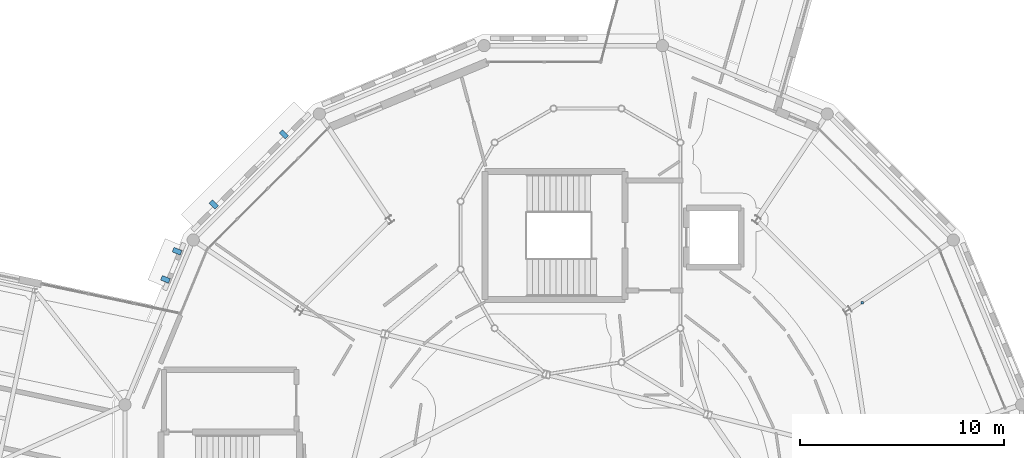
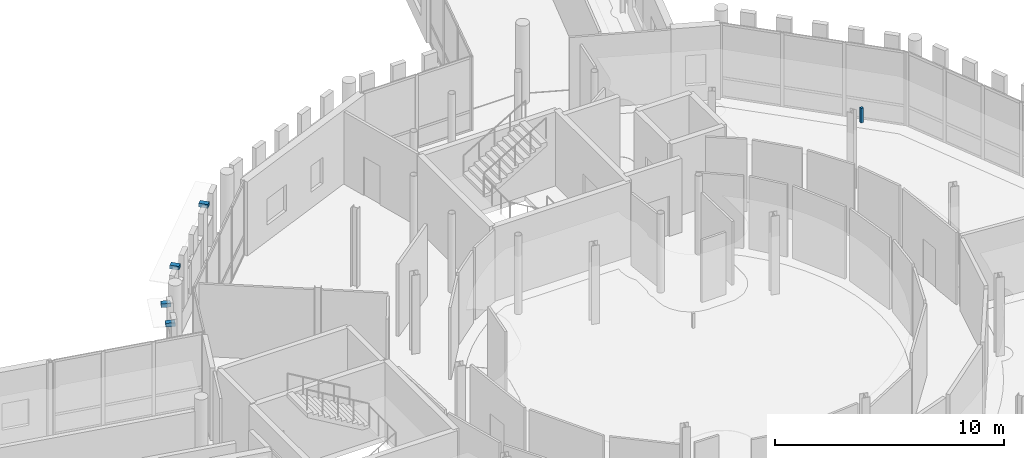
# One storey, part 114 of 125: 5 discrete accessories.
"""IFC4 building model written with IfcOpenShell, lengths in metres."""

from ifc_helpers import new_model, si_unit, direction, frame, origin, origin_2d, place, context, subcontext, project, spatial, rectangle, extrude, material, type_object, element, save


model = new_model("IFC4")

# Units and contexts
model_context = context("Model", 3, precision=1e-05, world=origin(), true_north=direction((0.0, 1.0)))
body_context = subcontext(model_context, "Body", "Model", "MODEL_VIEW")
ifc_project = project(units=[si_unit("LENGTHUNIT", "METRE"), si_unit("AREAUNIT", "SQUARE_METRE"), si_unit("VOLUMEUNIT", "CUBIC_METRE"), si_unit("PLANEANGLEUNIT", "RADIAN"), si_unit("MASSUNIT", "GRAM", prefix="KILO")], contexts=[model_context])

# Site, building, storey
site_placement = place(None, origin())
site = spatial("IfcSite", under=ifc_project, at=site_placement, CompositionType="ELEMENT")
building_placement = place(site_placement, origin())
building = spatial("IfcBuilding", under=site, at=building_placement, Name="Wrenclough Park School", CompositionType="ELEMENT")
storey_placement = place(building_placement, frame((0.0, 0.0, 4.199951171875)))
storey = spatial("IfcBuildingStorey", under=building, at=storey_placement, Name="L01", CompositionType="ELEMENT", Elevation=4.199951171875)

# Discrete accessories
ifc_material_1 = material(Name="Austenitic stainless steel Grade 1.4401", Category="steel")
discrete_accessory_type_1 = type_object("IfcDiscreteAccessoryType", Name="ENV-BRK-01", PredefinedType="BRACKET", material=ifc_material_1)
for number, where, z_axis, x_axis, name in (
    (1, (141.287353515625, 44.160888671875, 3.5400390625), (0.0, 0.0, 1.0), (-0.707106781187, -0.707106781187, 0.0), "Brise-soleil stainless outrigger bracket 0001"),
    (2, (137.838623046875, 40.712158203125, 3.5400390625), (0.0, 0.0, 1.0), (-0.707106781187, -0.707106781187, 0.0), "Brise-soleil stainless outrigger bracket 0002"),
    (3, (136.04248046875, 38.420166015625, 3.5400390625), (0.0, 0.0, 1.0), (-0.382679144648, -0.92388130853, 0.0), "Brise-soleil stainless outrigger bracket 0003"),
    (4, (135.470458984375, 37.039306640625, 3.5400390625), (0.0, 0.0, 1.0), (-0.382679144648, -0.92388130853, 0.0), "Brise-soleil stainless outrigger bracket 0004"),
):
    element("IfcDiscreteAccessory", number, at=place(storey_placement, frame(where, z_axis=z_axis, x_axis=x_axis)), inside=storey, type_object=discrete_accessory_type_1, Name=name, PredefinedType="BRACKET", context=body_context, shape_type="SweptSolid", body=[
        extrude(rectangle(XDim=0.239990234375, YDim=0.419921875, at=origin_2d()), origin(), (0.0, 0.0, 1.0), 0.199951171875),
    ])
ifc_material_2 = material(Name="Galvanised steel acoustic ceiling suspension hanger", Category="steel")
discrete_accessory_type_2 = type_object("IfcDiscreteAccessoryType", Name="INT-BRK-HGR", PredefinedType="BRACKET", material=ifc_material_2)
discrete_accessory_placement = place(storey_placement, frame((169.69091796875, 35.889892578125, 3.090087890625), z_axis=(0.0, 0.0, 1.0), x_axis=(1.0, 0.0, 0.0)))
element("IfcDiscreteAccessory", 5, at=discrete_accessory_placement, inside=storey, type_object=discrete_accessory_type_2, Name="Acoustic ceiling hanger bracket 0021", PredefinedType="BRACKET", context=body_context, shape_type="SweptSolid", body=[
    extrude(rectangle(XDim=0.1201171875, YDim=0.1201171875, at=origin_2d()), origin(), (0.0, 0.0, 1.0), 0.7900390625),
])

save(model, "model.ifc")
